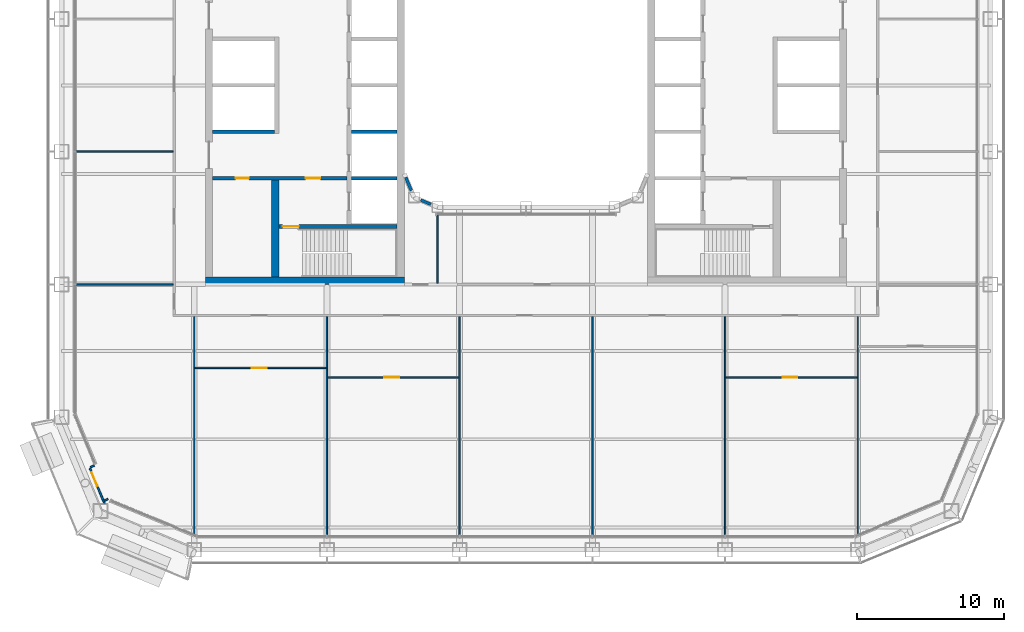
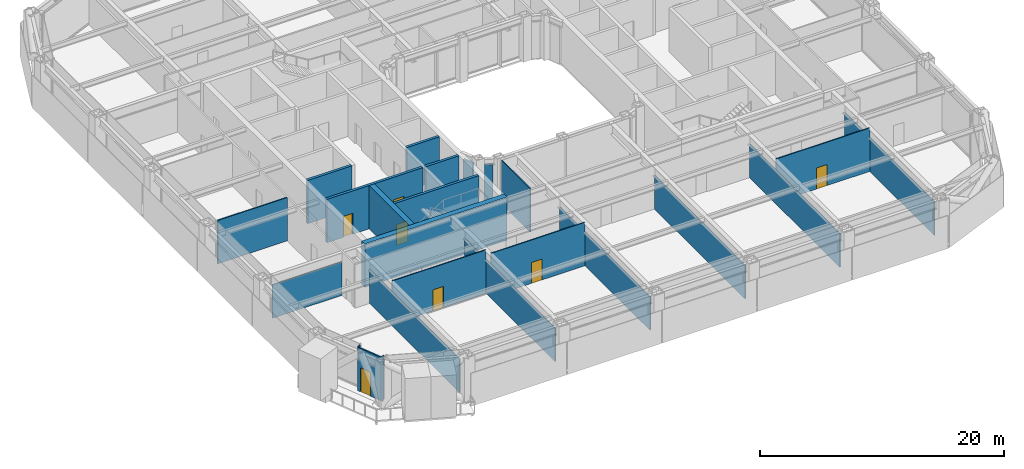
# One storey, part 13 of 27: 24 walls, 7 doors, 7 openings.
"""IFC4 building model written with IfcOpenShell, lengths in metres."""

from ifc_helpers import new_model, si_unit, direction, frame, frame_2d, origin, place, context, subcontext, project, spatial, rectangle, extrude, material, layer, layer_set, type_object, element, fill, save


model = new_model("IFC4")

# Units and contexts
model_context = context("Model", 3, precision=1e-05, world=origin(), true_north=direction((0.0, 1.0)))
body_context = subcontext(model_context, "Body", "Model", "MODEL_VIEW")
ifc_project = project(units=[si_unit("LENGTHUNIT", "METRE"), si_unit("AREAUNIT", "SQUARE_METRE"), si_unit("VOLUMEUNIT", "CUBIC_METRE"), si_unit("PLANEANGLEUNIT", "RADIAN"), si_unit("MASSUNIT", "GRAM", prefix="KILO")], contexts=[model_context])

# Site, building, storey
site_placement = place(None, origin())
site = spatial("IfcSite", under=ifc_project, at=site_placement, CompositionType="ELEMENT")
building_placement = place(site_placement, origin())
building = spatial("IfcBuilding", under=site, at=building_placement, Name="Siwar Civic Tower", CompositionType="ELEMENT")
storey_placement = place(building_placement, frame((0.0, 0.0, 53.699951171875)))
storey = spatial("IfcBuildingStorey", under=building, at=storey_placement, Name="L11", CompositionType="ELEMENT", Elevation=53.699951171875)

# Wall, openings, doors
ifc_material_1 = material(Name="Concrete C60/75", Category="concrete")
ifc_layer_1 = layer(ifc_material_1, 0.25)
ifc_layer_set_1 = layer_set([ifc_layer_1], Name="Concrete C60/75")
wall_type_1 = type_object("IfcWallType", Name="CORE-WALL-RC250", PredefinedType="SHEAR", material=ifc_layer_set_1)
wall_1_placement = place(storey_placement, frame((-12.14990234375, -6.300048828125, 0.0), z_axis=(0.0, 0.0, 1.0), x_axis=(-1.0, 0.0, 0.0)))
wall_1 = element("IfcWall", 1, at=wall_1_placement, inside=storey, type_object=wall_type_1, Name="Core wall W", PredefinedType="SHEAR", context=body_context, shape_type="SweptSolid", body=[
    extrude(rectangle(XDim=9.10009765625, YDim=0.25, at=frame_2d((4.550048828125, 0.0))), origin(), (0.0, 0.0, 1.0), 4.35009765625),
])
opening_1_placement = place(wall_1_placement, frame((1.800048828125, 0.0, 0.0)))
opening_1 = element("IfcOpeningElement", 2, at=opening_1_placement, cuts=wall_1, Name="Opening L11-CW02", PredefinedType="OPENING", context=body_context, shape_type="SweptSolid", body=[
    extrude(rectangle(XDim=1.0, YDim=2.10009765625, at=frame_2d((0.5, 1.050048828125))), frame((0.0, 0.135009765625, 0.0), z_axis=(0.0, -1.0, 0.0), x_axis=(1.0, 0.0, 0.0)), (0.0, 0.0, 1.0), 0.27001953125),
])
opening_2_placement = place(wall_1_placement, frame((6.64990234375, 0.0, 0.0)))
opening_2 = element("IfcOpeningElement", 3, at=opening_2_placement, cuts=wall_1, Name="Opening L11-CW15", PredefinedType="OPENING", context=body_context, shape_type="SweptSolid", body=[
    extrude(rectangle(XDim=0.89990234375, YDim=2.10009765625, at=frame_2d((0.449951171875, 1.050048828125))), frame((0.0, 0.135009765625, 0.0), z_axis=(0.0, -1.0, 0.0), x_axis=(1.0, 0.0, 0.0)), (0.0, 0.0, 1.0), 0.27001953125),
])
ifc_material_2 = material(Name="Steel door leaf", Category="steel")
door_type_1 = type_object("IfcDoorType", Name="CORE-DOOR-FD30S", OperationType="SINGLE_SWING_LEFT", PredefinedType="DOOR", material=ifc_material_2)
door_1_placement = place(opening_1_placement, origin())
door_1 = element("IfcDoor", 4, at=door_1_placement, inside=storey, type_object=door_type_1, Name="Service lobby door L11-CW02", OperationType="SINGLE_SWING_RIGHT", OverallHeight=2.10009765625, OverallWidth=1.0, PredefinedType="DOOR", context=body_context, shape_type="SweptSolid", body=[
    extrude(rectangle(XDim=1.0, YDim=2.10009765625, at=frame_2d((0.5, 1.050048828125))), frame((0.0, 0.02490234375, 0.0), z_axis=(0.0, -1.0, 0.0), x_axis=(1.0, 0.0, 0.0)), (0.0, 0.0, 1.0), 0.050048828125),
])
fill(opening_1, door_1)
ifc_material_3 = material(Name="Steel door leaf", Category="steel")
door_type_2 = type_object("IfcDoorType", Name="CORE-DOOR-ROOM", OperationType="SINGLE_SWING_LEFT", PredefinedType="DOOR", material=ifc_material_3)
door_2_placement = place(opening_2_placement, origin())
door_2 = element("IfcDoor", 5, at=door_2_placement, inside=storey, type_object=door_type_2, Name="Core room door L11-CW15", OperationType="SINGLE_SWING_RIGHT", OverallHeight=2.10009765625, OverallWidth=0.89990234375, PredefinedType="DOOR", context=body_context, shape_type="SweptSolid", body=[
    extrude(rectangle(XDim=0.89990234375, YDim=2.10009765625, at=frame_2d((0.449951171875, 1.050048828125))), frame((0.0, 0.02490234375, 0.0), z_axis=(0.0, -1.0, 0.0), x_axis=(1.0, 0.0, 0.0)), (0.0, 0.0, 1.0), 0.050048828125),
])
fill(opening_2, door_2)

# Walls
wall_2_placement = place(storey_placement, frame((-17.050048828125, -3.14990234375, 0.0), z_axis=(0.0, 0.0, 1.0), x_axis=(-1.0, 0.0, 0.0)))
element("IfcWall", 6, at=wall_2_placement, inside=storey, type_object=wall_type_1, Name="Core wall W", PredefinedType="SHEAR", context=body_context, shape_type="SweptSolid", body=[
    extrude(rectangle(XDim=4.199951171875, YDim=0.25, at=frame_2d((2.10009765625, 0.0))), origin(), (0.0, 0.0, 1.0), 4.35009765625),
])
for number, where, z_axis, x_axis, name in (
    (7, (-8.75, -3.14990234375, 0.0), (0.0, 0.0, 1.0), (-1.0, 0.0, 0.0), "Core wall W"),
    (8, (-8.75, -6.300048828125, 0.0), (0.0, 0.0, 1.0), (-1.0, 0.0, 0.0), "Core wall W"),
):
    element("IfcWall", number, at=place(storey_placement, frame(where, z_axis=z_axis, x_axis=x_axis)), inside=storey, type_object=wall_type_1, Name=name, PredefinedType="SHEAR", context=body_context, shape_type="SweptSolid", body=[
        extrude(rectangle(XDim=3.10009765625, YDim=0.25, at=frame_2d((1.550048828125, 0.0))), origin(), (0.0, 0.0, 1.0), 4.35009765625),
    ])

# Wall, opening, door
wall_3_placement = place(storey_placement, frame((-8.75, -9.574951171875, 0.0), z_axis=(0.0, 0.0, 1.0), x_axis=(-1.0, 0.0, 0.0)))
wall_3 = element("IfcWall", 9, at=wall_3_placement, inside=storey, type_object=wall_type_1, Name="Core wall W", PredefinedType="SHEAR", context=body_context, shape_type="SweptSolid", body=[
    extrude(rectangle(XDim=8.0, YDim=0.25, at=frame_2d((4.0, 0.0))), origin(), (0.0, 0.0, 1.0), 4.35009765625),
])
opening_3_placement = place(wall_3_placement, frame((6.64990234375, 0.0, 0.0)))
opening_3 = element("IfcOpeningElement", 10, at=opening_3_placement, cuts=wall_3, Name="Opening L11-CW04", PredefinedType="OPENING", context=body_context, shape_type="SweptSolid", body=[
    extrude(rectangle(XDim=1.10009765625, YDim=2.10009765625, at=frame_2d((0.550048828125, 1.050048828125))), frame((0.0, 0.135009765625, 0.0), z_axis=(0.0, -1.0, 0.0), x_axis=(1.0, 0.0, 0.0)), (0.0, 0.0, 1.0), 0.27001953125),
])
ifc_material_4 = material(Name="Steel door leaf", Category="steel")
door_type_3 = type_object("IfcDoorType", Name="CORE-DOOR-FD60S", OperationType="SINGLE_SWING_LEFT", PredefinedType="DOOR", material=ifc_material_4)
door_3_placement = place(opening_3_placement, origin())
door_3 = element("IfcDoor", 11, at=door_3_placement, inside=storey, type_object=door_type_3, Name="Stair door L11-CW04", OperationType="SINGLE_SWING_LEFT", OverallHeight=2.10009765625, OverallWidth=1.10009765625, PredefinedType="DOOR", context=body_context, shape_type="SweptSolid", body=[
    extrude(rectangle(XDim=1.10009765625, YDim=2.10009765625, at=frame_2d((0.550048828125, 1.050048828125))), frame((0.0, 0.02490234375, 0.0), z_axis=(0.0, -1.0, 0.0), x_axis=(1.0, 0.0, 0.0)), (0.0, 0.0, 1.0), 0.050048828125),
])
fill(opening_3, door_3)

# Walls
ifc_material_5 = material(Name="Concrete C60/75", Category="concrete")
ifc_layer_2 = layer(ifc_material_5, 0.5)
ifc_layer_set_2 = layer_set([ifc_layer_2], Name="Concrete C60/75")
wall_type_2 = type_object("IfcWallType", Name="CORE-WALL-RC500", PredefinedType="SHEAR", material=ifc_layer_set_2)
wall_4_placement = place(storey_placement, frame((-17.0, -13.0, 0.0), z_axis=(0.0, 0.0, 1.0), x_axis=(0.0, 1.0, 0.0)))
element("IfcWall", 12, at=wall_4_placement, inside=storey, type_object=wall_type_2, Name="Core wall W", PredefinedType="SHEAR", context=body_context, shape_type="SweptSolid", body=[
    extrude(rectangle(XDim=6.574951171875, YDim=0.5, at=frame_2d((3.28759765625, 0.0))), origin(), (0.0, 0.0, 1.0), 4.35009765625),
])
wall_5_placement = place(storey_placement, frame((-8.25, -13.25, 0.0), z_axis=(0.0, 0.0, 1.0), x_axis=(-1.0, 0.0, 0.0)))
element("IfcWall", 13, at=wall_5_placement, inside=storey, type_object=wall_type_2, Name="Core wall W", PredefinedType="SHEAR", context=body_context, shape_type="SweptSolid", body=[
    extrude(rectangle(XDim=13.5, YDim=0.5, at=frame_2d((6.75, 0.0))), origin(), (0.0, 0.0, 1.0), 4.35009765625),
])
ifc_material_6 = material(Name="Aluminium clad insulated panel", Category="aluminium")
ifc_layer_3 = layer(ifc_material_6, 0.1201171875)
ifc_layer_set_3 = layer_set([ifc_layer_3], Name="Aluminium clad insulated panel")
wall_type_3 = type_object("IfcWallType", Name="ENV-WALL-BAL", PredefinedType="STANDARD", material=ifc_layer_set_3)
wall_6_placement = place(storey_placement, frame((-29.284912109375, -25.783447265625, 0.0), z_axis=(0.0, 0.0, 1.0), x_axis=(-0.923772220778, -0.382942403136, 0.0)))
element("IfcWall", 14, at=wall_6_placement, inside=storey, type_object=wall_type_3, Name="Balcony door wall return SW1", PredefinedType="STANDARD", context=body_context, shape_type="SweptSolid", body=[
    extrude(rectangle(XDim=0.27978515625, YDim=0.1201171875, at=frame_2d((0.139892578125, 0.0))), origin(), (0.0, 0.0, 1.0), 4.35009765625),
])
wall_7_placement = place(storey_placement, frame((-28.3427734375, -28.057861328125, 0.0), z_axis=(0.0, 0.0, 1.0), x_axis=(-0.923899985553, -0.382634050621, 0.0)))
element("IfcWall", 15, at=wall_7_placement, inside=storey, type_object=wall_type_3, Name="Balcony door wall return SW1", PredefinedType="STANDARD", context=body_context, shape_type="SweptSolid", body=[
    extrude(rectangle(XDim=0.280029296875, YDim=0.1201171875, at=frame_2d((0.14013671875, 0.0))), origin(), (0.0, 0.0, 1.0), 4.35009765625),
])

# Wall, opening, door
wall_8_placement = place(storey_placement, frame((-29.575927734375, -25.968994140625, 0.0), z_axis=(0.0, 0.0, 1.0), x_axis=(0.382648460137, -0.923894017707, 0.0)))
wall_8 = element("IfcWall", 16, at=wall_8_placement, inside=storey, type_object=wall_type_3, Name="Balcony door wall SW1", PredefinedType="STANDARD", context=body_context, shape_type="SweptSolid", body=[
    extrude(rectangle(XDim=2.59228515625, YDim=0.1201171875, at=frame_2d((1.296142578125, 0.0))), origin(), (0.0, 0.0, 1.0), 4.35009765625),
])
opening_4_placement = place(wall_8_placement, frame((0.300048828125, 0.0, 0.0)))
opening_4 = element("IfcOpeningElement", 17, at=opening_4_placement, cuts=wall_8, Name="Opening D-BAL", PredefinedType="OPENING", context=body_context, shape_type="SweptSolid", body=[
    extrude(rectangle(XDim=1.0, YDim=2.39990234375, at=frame_2d((0.5, 1.199951171875))), frame((0.0, 0.070068359375, 0.0), z_axis=(0.0, -1.0, 0.0), x_axis=(1.0, 0.0, 0.0)), (0.0, 0.0, 1.0), 0.14013671875),
])
ifc_material_7 = material(Name="Aluminium and glass", Category="aluminium")
door_type_4 = type_object("IfcDoorType", Name="ENV-DOOR-BAL", OperationType="SINGLE_SWING_LEFT", PredefinedType="DOOR", material=ifc_material_7)
door_4_placement = place(opening_4_placement, origin())
door_4 = element("IfcDoor", 18, at=door_4_placement, inside=storey, type_object=door_type_4, Name="Balcony door SW", OperationType="SINGLE_SWING_LEFT", OverallHeight=2.39990234375, OverallWidth=1.0, PredefinedType="DOOR", context=body_context, shape_type="SweptSolid", body=[
    extrude(rectangle(XDim=1.0, YDim=2.39990234375, at=frame_2d((0.5, 1.199951171875))), frame((0.0, 0.02490234375, 0.0), z_axis=(0.0, -1.0, 0.0), x_axis=(1.0, 0.0, 0.0)), (0.0, 0.0, 1.0), 0.050048828125),
])
fill(opening_4, door_4)

# Walls
ifc_material_8 = material(Name="Aluminium clad insulated panel", Category="aluminium")
ifc_layer_4 = layer(ifc_material_8, 0.199951171875)
ifc_layer_set_4 = layer_set([ifc_layer_4], Name="Aluminium clad insulated panel")
wall_type_4 = type_object("IfcWallType", Name="ENV-WALL-WELL", PredefinedType="STANDARD", material=ifc_layer_set_4)
wall_9_placement = place(storey_placement, frame((-8.154296875, -6.23095703125, 0.0), z_axis=(0.0, 0.0, 1.0), x_axis=(0.382549378284, -0.923935048136, 0.0)))
element("IfcWall", 19, at=wall_9_placement, inside=storey, type_object=wall_type_4, Name="Light well corner wall SW1", PredefinedType="STANDARD", context=body_context, shape_type="SweptSolid", body=[
    extrude(rectangle(XDim=0.982177734375, YDim=0.199951171875, at=frame_2d((0.4912109375, 0.0))), origin(), (0.0, 0.0, 1.0), 3.72998046875),
])
wall_10_placement = place(storey_placement, frame((-7.138427734375, -7.778564453125, 0.0), z_axis=(0.0, 0.0, 1.0), x_axis=(0.923940677943, -0.382535780864, 0.0)))
element("IfcWall", 20, at=wall_10_placement, inside=storey, type_object=wall_type_4, Name="Light well corner wall SW2", PredefinedType="STANDARD", context=body_context, shape_type="SweptSolid", body=[
    extrude(rectangle(XDim=0.7421875, YDim=0.199951171875, at=frame_2d((0.37109375, 0.0))), origin(), (0.0, 0.0, 1.0), 3.72998046875),
])

# Wall, opening, door
ifc_material_9 = material(Name="Gypsum board on steel studs", Category="steel")
ifc_layer_5 = layer(ifc_material_9, 0.10009765625)
ifc_layer_set_5 = layer_set([ifc_layer_5], Name="Gypsum board on steel studs")
wall_type_5 = type_object("IfcWallType", Name="PARTITION 100 GYPSUM", PredefinedType="PARTITIONING", material=ifc_layer_set_5)
wall_11_placement = place(storey_placement, frame((-13.449951171875, -19.800048828125, 0.0), z_axis=(0.0, 0.0, 1.0), x_axis=(1.0, 0.0, 0.0)))
wall_11 = element("IfcWall", 21, at=wall_11_placement, inside=storey, type_object=wall_type_5, Name="L11/wall/P01", PredefinedType="PARTITIONING", context=body_context, shape_type="SweptSolid", body=[
    extrude(rectangle(XDim=8.89990234375, YDim=0.10009765625, at=frame_2d((4.449951171875, 0.0))), origin(), (0.0, 0.0, 1.0), 4.35009765625),
])
opening_5_placement = place(wall_11_placement, frame((3.85009765625, 0.0, 0.0)))
opening_5 = element("IfcOpeningElement", 22, at=opening_5_placement, cuts=wall_11, Name="Opening D2", PredefinedType="OPENING", context=body_context, shape_type="SweptSolid", body=[
    extrude(rectangle(XDim=1.0, YDim=2.10009765625, at=frame_2d((0.5, 1.050048828125))), frame((0.0, 0.06005859375, 0.0), z_axis=(0.0, -1.0, 0.0), x_axis=(1.0, 0.0, 0.0)), (0.0, 0.0, 1.0), 0.1201171875),
])
ifc_material_10 = material(Name="Timber, painted", Category="wood")
door_type_5 = type_object("IfcDoorType", Name="DOOR 1000 X 2100", OperationType="SINGLE_SWING_LEFT", PredefinedType="DOOR", material=ifc_material_10)
door_5_placement = place(opening_5_placement, origin())
door_5 = element("IfcDoor", 23, at=door_5_placement, inside=storey, type_object=door_type_5, Name="L11-D15", OperationType="SINGLE_SWING_LEFT", OverallHeight=2.10009765625, OverallWidth=1.0, PredefinedType="DOOR", context=body_context, shape_type="SweptSolid", body=[
    extrude(rectangle(XDim=1.0, YDim=2.10009765625, at=frame_2d((0.5, 1.050048828125))), frame((0.0, 0.02490234375, 0.0), z_axis=(0.0, -1.0, 0.0), x_axis=(1.0, 0.0, 0.0)), (0.0, 0.0, 1.0), 0.050048828125),
])
fill(opening_5, door_5)

wall_12_placement = place(storey_placement, frame((13.550048828125, -19.800048828125, 0.0), z_axis=(0.0, 0.0, 1.0), x_axis=(1.0, 0.0, 0.0)))
wall_12 = element("IfcWall", 24, at=wall_12_placement, inside=storey, type_object=wall_type_5, Name="L11/wall/P02", PredefinedType="PARTITIONING", context=body_context, shape_type="SweptSolid", body=[
    extrude(rectangle(XDim=8.89990234375, YDim=0.10009765625, at=frame_2d((4.449951171875, 0.0))), origin(), (0.0, 0.0, 1.0), 4.35009765625),
])
opening_6_placement = place(wall_12_placement, frame((3.85009765625, 0.0, 0.0)))
opening_6 = element("IfcOpeningElement", 25, at=opening_6_placement, cuts=wall_12, Name="Opening D2", PredefinedType="OPENING", context=body_context, shape_type="SweptSolid", body=[
    extrude(rectangle(XDim=1.0, YDim=2.10009765625, at=frame_2d((0.5, 1.050048828125))), frame((0.0, 0.06005859375, 0.0), z_axis=(0.0, -1.0, 0.0), x_axis=(1.0, 0.0, 0.0)), (0.0, 0.0, 1.0), 0.1201171875),
])
door_6_placement = place(opening_6_placement, origin())
door_6 = element("IfcDoor", 26, at=door_6_placement, inside=storey, type_object=door_type_5, Name="L11-D19", OperationType="SINGLE_SWING_LEFT", OverallHeight=2.10009765625, OverallWidth=1.0, PredefinedType="DOOR", context=body_context, shape_type="SweptSolid", body=[
    extrude(rectangle(XDim=1.0, YDim=2.10009765625, at=frame_2d((0.5, 1.050048828125))), frame((0.0, 0.02490234375, 0.0), z_axis=(0.0, -1.0, 0.0), x_axis=(1.0, 0.0, 0.0)), (0.0, 0.0, 1.0), 0.050048828125),
])
fill(opening_6, door_6)

wall_13_placement = place(storey_placement, frame((-22.449951171875, -19.159912109375, 0.0), z_axis=(0.0, 0.0, 1.0), x_axis=(1.0, 0.0, 0.0)))
wall_13 = element("IfcWall", 27, at=wall_13_placement, inside=storey, type_object=wall_type_5, Name="L11/wall/P03", PredefinedType="PARTITIONING", context=body_context, shape_type="SweptSolid", body=[
    extrude(rectangle(XDim=8.89990234375, YDim=0.10009765625, at=frame_2d((4.449951171875, 0.0))), origin(), (0.0, 0.0, 1.0), 4.35009765625),
])
opening_7_placement = place(wall_13_placement, frame((3.85009765625, 0.0, 0.0)))
opening_7 = element("IfcOpeningElement", 28, at=opening_7_placement, cuts=wall_13, Name="Opening D2", PredefinedType="OPENING", context=body_context, shape_type="SweptSolid", body=[
    extrude(rectangle(XDim=1.0, YDim=2.10009765625, at=frame_2d((0.5, 1.050048828125))), frame((0.0, 0.06005859375, 0.0), z_axis=(0.0, -1.0, 0.0), x_axis=(1.0, 0.0, 0.0)), (0.0, 0.0, 1.0), 0.1201171875),
])
door_7_placement = place(opening_7_placement, origin())
door_7 = element("IfcDoor", 29, at=door_7_placement, inside=storey, type_object=door_type_5, Name="L11-D13", OperationType="SINGLE_SWING_LEFT", OverallHeight=2.10009765625, OverallWidth=1.0, PredefinedType="DOOR", context=body_context, shape_type="SweptSolid", body=[
    extrude(rectangle(XDim=1.0, YDim=2.10009765625, at=frame_2d((0.5, 1.050048828125))), frame((0.0, 0.02490234375, 0.0), z_axis=(0.0, -1.0, 0.0), x_axis=(1.0, 0.0, 0.0)), (0.0, 0.0, 1.0), 0.050048828125),
])
fill(opening_7, door_7)

# Walls
wall_14_placement = place(storey_placement, frame((-30.510009765625, -13.5, 0.0), z_axis=(0.0, 0.0, 1.0), x_axis=(1.0, 0.0, 0.0)))
element("IfcWall", 30, at=wall_14_placement, inside=storey, type_object=wall_type_5, Name="L11/wall/P06", PredefinedType="PARTITIONING", context=body_context, shape_type="SweptSolid", body=[
    extrude(rectangle(XDim=6.5849609375, YDim=0.10009765625, at=frame_2d((3.29248046875, 0.0))), origin(), (0.0, 0.0, 1.0), 3.35009765625),
])
wall_15_placement = place(storey_placement, frame((-30.510009765625, -4.5, 0.0), z_axis=(0.0, 0.0, 1.0), x_axis=(1.0, 0.0, 0.0)))
element("IfcWall", 31, at=wall_15_placement, inside=storey, type_object=wall_type_5, Name="L11/wall/P09", PredefinedType="PARTITIONING", context=body_context, shape_type="SweptSolid", body=[
    extrude(rectangle(XDim=6.5849609375, YDim=0.10009765625, at=frame_2d((3.29248046875, 0.0))), origin(), (0.0, 0.0, 1.0), 4.35009765625),
])
wall_16_placement = place(storey_placement, frame((-22.5, -30.427978515625, 0.0), z_axis=(0.0, 0.0, 1.0), x_axis=(0.0, 1.0, 0.0)))
element("IfcWall", 32, at=wall_16_placement, inside=storey, type_object=wall_type_5, Name="L11/wall/P25", PredefinedType="PARTITIONING", context=body_context, shape_type="SweptSolid", body=[
    extrude(rectangle(XDim=14.7529296875, YDim=0.10009765625, at=frame_2d((7.37646484375, 0.0))), origin(), (0.0, 0.0, 1.0), 3.35009765625),
])
wall_17_placement = place(storey_placement, frame((-13.5, -30.510009765625, 0.0), z_axis=(0.0, 0.0, 1.0), x_axis=(0.0, 1.0, 0.0)))
element("IfcWall", 33, at=wall_17_placement, inside=storey, type_object=wall_type_5, Name="L11/wall/P27", PredefinedType="PARTITIONING", context=body_context, shape_type="SweptSolid", body=[
    extrude(rectangle(XDim=14.8349609375, YDim=0.10009765625, at=frame_2d((7.41748046875, 0.0))), origin(), (0.0, 0.0, 1.0), 3.35009765625),
])
wall_18_placement = place(storey_placement, frame((-6.0, -13.425048828125, 0.0), z_axis=(0.0, 0.0, 1.0), x_axis=(0.0, 1.0, 0.0)))
element("IfcWall", 34, at=wall_18_placement, inside=storey, type_object=wall_type_5, Name="L11/wall/P29", PredefinedType="PARTITIONING", context=body_context, shape_type="SweptSolid", body=[
    extrude(rectangle(XDim=4.72509765625, YDim=0.10009765625, at=frame_2d((2.362548828125, 0.0))), origin(), (0.0, 0.0, 1.0), 4.35009765625),
])
for number, where, z_axis, x_axis, name in (
    (35, (-4.5, -30.510009765625, 0.0), (0.0, 0.0, 1.0), (0.0, 1.0, 0.0), "L11/wall/P30"),
    (36, (4.5, -30.510009765625, 0.0), (0.0, 0.0, 1.0), (0.0, 1.0, 0.0), "L11/wall/P34"),
    (37, (13.5, -30.510009765625, 0.0), (0.0, 0.0, 1.0), (0.0, 1.0, 0.0), "L11/wall/P38"),
):
    element("IfcWall", number, at=place(storey_placement, frame(where, z_axis=z_axis, x_axis=x_axis)), inside=storey, type_object=wall_type_5, Name=name, PredefinedType="PARTITIONING", context=body_context, shape_type="SweptSolid", body=[
        extrude(rectangle(XDim=14.8349609375, YDim=0.10009765625, at=frame_2d((7.41748046875, 0.0))), origin(), (0.0, 0.0, 1.0), 3.35009765625),
    ])
wall_19_placement = place(storey_placement, frame((22.5, -30.427978515625, 0.0), z_axis=(0.0, 0.0, 1.0), x_axis=(0.0, 1.0, 0.0)))
element("IfcWall", 38, at=wall_19_placement, inside=storey, type_object=wall_type_5, Name="L11/wall/P41", PredefinedType="PARTITIONING", context=body_context, shape_type="SweptSolid", body=[
    extrude(rectangle(XDim=14.7529296875, YDim=0.10009765625, at=frame_2d((7.37646484375, 0.0))), origin(), (0.0, 0.0, 1.0), 3.35009765625),
])

save(model, "model.ifc")
